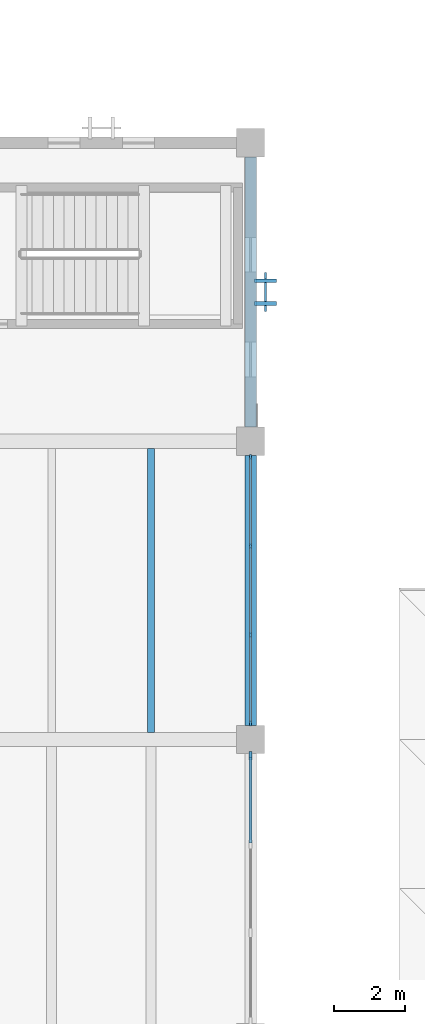
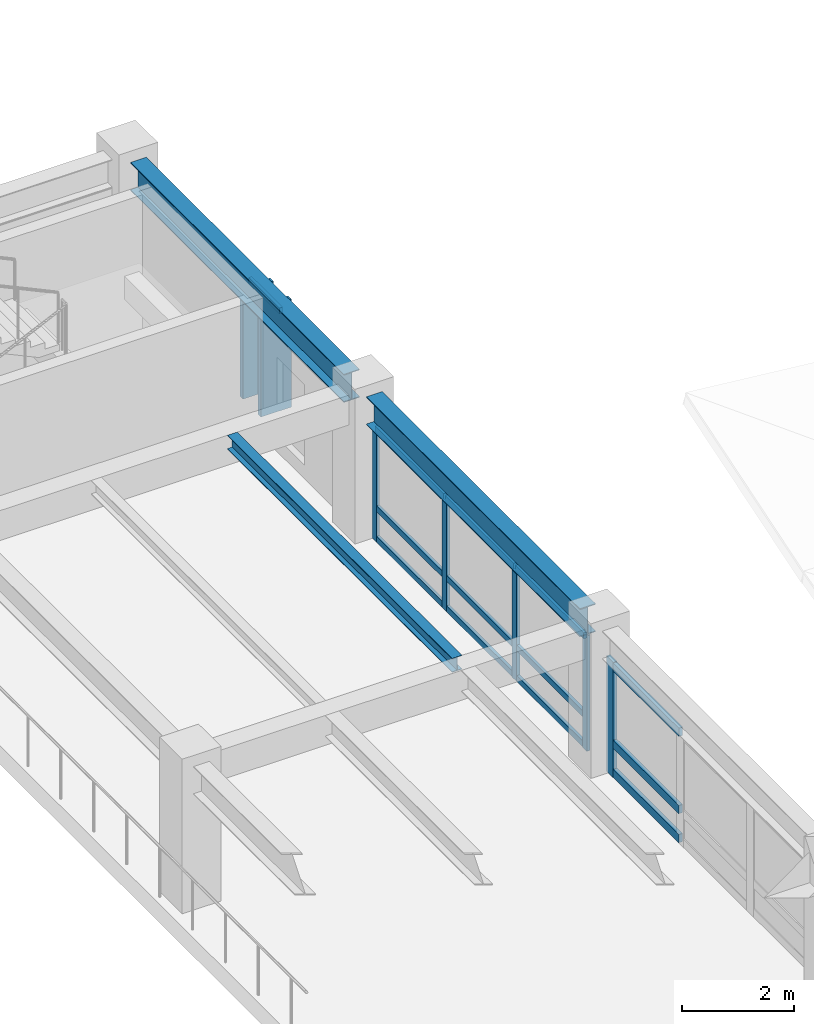
# One storey, part 13 of 123: 20 members, 3 beams, 3 elements without a shape of their own.
"""IFC4 building model written with IfcOpenShell, lengths in metres."""

from ifc_helpers import new_model, si_unit, direction, frame, origin, origin_2d, place, context, subcontext, project, spatial, rectangle, i_section, extrude, material, material_profile, profile_set, type_object, element, aggregate, save


model = new_model("IFC4")

# Units and contexts
model_context = context("Model", 3, precision=1e-05, world=origin(), true_north=direction((0.0, 1.0)))
body_context = subcontext(model_context, "Body", "Model", "MODEL_VIEW")
ifc_project = project(units=[si_unit("LENGTHUNIT", "METRE"), si_unit("AREAUNIT", "SQUARE_METRE"), si_unit("VOLUMEUNIT", "CUBIC_METRE"), si_unit("PLANEANGLEUNIT", "RADIAN"), si_unit("MASSUNIT", "GRAM", prefix="KILO")], contexts=[model_context])

# Site, building, storey
site_placement = place(None, origin())
site = spatial("IfcSite", under=ifc_project, at=site_placement, CompositionType="ELEMENT")
building_placement = place(site_placement, origin())
building = spatial("IfcBuilding", under=site, at=building_placement, Name="Cumbredor Promenade Congress Hotel", CompositionType="ELEMENT")
storey_placement = place(building_placement, frame((0.0, 0.0, 11.760009765625)))
storey = spatial("IfcBuildingStorey", under=building, at=storey_placement, Name="L03", CompositionType="ELEMENT", Elevation=11.760009765625)

# Curtain wall, members
ifc_material_1 = material(Name="Thermally broken anodized aluminium and low-E glass", Category="aluminium")
curtain_wall_type_1 = type_object("IfcCurtainWallType", Name="Unitised Bronze Curtain Wall CW-01", PredefinedType="NOTDEFINED", material=ifc_material_1)
curtain_wall_1_placement = place(storey_placement, origin())
curtain_wall_1 = element("IfcCurtainWall", 1, at=curtain_wall_1_placement, inside=storey, type_object=curtain_wall_type_1, Name="L03 Plenary Congress Hall East Curtain Wall 6", PredefinedType="NOTDEFINED")
ifc_material_2 = material(Name="Thermally broken anodized aluminium", Category="aluminium")
ifc_material_profile_1 = material_profile(ifc_material_2, rectangle(XDim=0.06494140625, YDim=0.159912109375, at=origin_2d()), Name="ALU MULLION 65x160")
ifc_profile_set_1 = profile_set([ifc_material_profile_1], Name="Thermally broken anodized aluminium")
member_type_1 = type_object("IfcMemberType", Name="Curtain Wall Mullion ML-01", PredefinedType="MULLION", material=ifc_profile_set_1)
member_1_placement = place(storey_placement, frame((67.199951171875, 50.85498046875, -0.008056640625), z_axis=(0.0, 0.0, 1.0), x_axis=(1.0, 0.0, 0.0)))
member_1 = element("IfcMember", 2, at=member_1_placement, type_object=member_type_1, Name="L03 Plenary Congress Hall East Curtain Wall 6 Mullion 1", PredefinedType="MULLION", context=body_context, shape_type="SweptSolid", body=[
    extrude(rectangle(XDim=0.06494140625, YDim=0.159912109375, at=origin_2d()), origin(), (0.0, 0.0, 1.0), 2.510009765625),
])
member_2_placement = place(storey_placement, frame((67.199951171875, 53.351806640625, -0.008056640625), z_axis=(0.0, 0.0, 1.0), x_axis=(1.0, 0.0, 0.0)))
member_2 = element("IfcMember", 3, at=member_2_placement, type_object=member_type_1, Name="L03 Plenary Congress Hall East Curtain Wall 6 Mullion 2", PredefinedType="MULLION", context=body_context, shape_type="SweptSolid", body=[
    extrude(rectangle(XDim=0.06494140625, YDim=0.159912109375, at=origin_2d()), origin(), (0.0, 0.0, 1.0), 2.510009765625),
])
member_3_placement = place(storey_placement, frame((67.199951171875, 55.848388671875, -0.008056640625), z_axis=(0.0, 0.0, 1.0), x_axis=(1.0, 0.0, 0.0)))
member_3 = element("IfcMember", 4, at=member_3_placement, type_object=member_type_1, Name="L03 Plenary Congress Hall East Curtain Wall 6 Mullion 3", PredefinedType="MULLION", context=body_context, shape_type="SweptSolid", body=[
    extrude(rectangle(XDim=0.06494140625, YDim=0.159912109375, at=origin_2d()), origin(), (0.0, 0.0, 1.0), 2.510009765625),
])
member_4_placement = place(storey_placement, frame((67.199951171875, 58.344970703125, -0.008056640625), z_axis=(0.0, 0.0, 1.0), x_axis=(1.0, 0.0, 0.0)))
member_4 = element("IfcMember", 5, at=member_4_placement, type_object=member_type_1, Name="L03 Plenary Congress Hall East Curtain Wall 6 Mullion 4", PredefinedType="MULLION", context=body_context, shape_type="SweptSolid", body=[
    extrude(rectangle(XDim=0.06494140625, YDim=0.159912109375, at=origin_2d()), origin(), (0.0, 0.0, 1.0), 2.510009765625),
])

# Curtain wall, member
curtain_wall_2_placement = place(storey_placement, origin())
curtain_wall_2 = element("IfcCurtainWall", 6, at=curtain_wall_2_placement, inside=storey, type_object=curtain_wall_type_1, Name="L03 Plenary Congress Hall East Curtain Wall 5", PredefinedType="NOTDEFINED")
ifc_material_profile_2 = material_profile(ifc_material_2, rectangle(XDim=0.080078125, YDim=0.239990234375, at=origin_2d()), Name="ALU MULLION 80x240")
ifc_profile_set_2 = profile_set([ifc_material_profile_2], Name="Thermally broken anodized aluminium")
member_type_2 = type_object("IfcMemberType", Name="Curtain Wall Mullion ML-03", PredefinedType="MULLION", material=ifc_profile_set_2)
member_5_placement = place(storey_placement, frame((67.199951171875, 49.945068359375, -0.008056640625), z_axis=(0.0, 0.0, 1.0), x_axis=(1.0, 0.0, 0.0)))
member_5 = element("IfcMember", 7, at=member_5_placement, type_object=member_type_2, Name="L03 Plenary Congress Hall East Curtain Wall 5 Mullion 4", PredefinedType="MULLION", context=body_context, shape_type="SweptSolid", body=[
    extrude(rectangle(XDim=0.080078125, YDim=0.239990234375, at=origin_2d()), origin(), (0.0, 0.0, 1.0), 2.510009765625),
])

# Member
ifc_material_profile_3 = material_profile(ifc_material_2, rectangle(XDim=0.06494140625, YDim=0.1298828125, at=origin_2d()), Name="ALU TRANSOM 65x130")
ifc_profile_set_3 = profile_set([ifc_material_profile_3], Name="Thermally broken anodized aluminium")
member_type_3 = type_object("IfcMemberType", Name="Curtain Wall Transom TR-01", PredefinedType="USERDEFINED", material=ifc_profile_set_3)
member_6_placement = place(storey_placement, frame((67.199951171875, 50.887451171875, 0.06005859375), z_axis=(0.0, 1.0, 0.0), x_axis=(-1.0, 0.0, 0.0)))
member_6 = element("IfcMember", 8, at=member_6_placement, type_object=member_type_3, Name="L03 Plenary Congress Hall East Curtain Wall 6 Transom 1.1", ObjectType="TRANSOM", PredefinedType="USERDEFINED", context=body_context, shape_type="SweptSolid", body=[
    extrude(rectangle(XDim=0.06494140625, YDim=0.1298828125, at=origin_2d()), origin(), (0.0, 0.0, 1.0), 2.431640625),
])

member_7_placement = place(storey_placement, frame((67.199951171875, 50.887451171875, 0.719970703125), z_axis=(0.0, 1.0, 0.0), x_axis=(-1.0, 0.0, 0.0)))
member_7 = element("IfcMember", 9, at=member_7_placement, type_object=member_type_3, Name="L03 Plenary Congress Hall East Curtain Wall 6 Transom 1.2", ObjectType="TRANSOM", PredefinedType="USERDEFINED", context=body_context, shape_type="SweptSolid", body=[
    extrude(rectangle(XDim=0.06494140625, YDim=0.1298828125, at=origin_2d()), origin(), (0.0, 0.0, 1.0), 2.431640625),
])

member_8_placement = place(storey_placement, frame((67.199951171875, 50.887451171875, 2.429931640625), z_axis=(0.0, 1.0, 0.0), x_axis=(-1.0, 0.0, 0.0)))
member_8 = element("IfcMember", 10, at=member_8_placement, type_object=member_type_3, Name="L03 Plenary Congress Hall East Curtain Wall 6 Transom 1.3", ObjectType="TRANSOM", PredefinedType="USERDEFINED", context=body_context, shape_type="SweptSolid", body=[
    extrude(rectangle(XDim=0.06494140625, YDim=0.1298828125, at=origin_2d()), origin(), (0.0, 0.0, 1.0), 2.431640625),
])

member_9_placement = place(storey_placement, frame((67.199951171875, 53.38427734375, 0.06005859375), z_axis=(0.0, 1.0, 0.0), x_axis=(-1.0, 0.0, 0.0)))
member_9 = element("IfcMember", 11, at=member_9_placement, type_object=member_type_3, Name="L03 Plenary Congress Hall East Curtain Wall 6 Transom 2.1", ObjectType="TRANSOM", PredefinedType="USERDEFINED", context=body_context, shape_type="SweptSolid", body=[
    extrude(rectangle(XDim=0.06494140625, YDim=0.1298828125, at=origin_2d()), origin(), (0.0, 0.0, 1.0), 2.431640625),
])

member_10_placement = place(storey_placement, frame((67.199951171875, 53.38427734375, 0.719970703125), z_axis=(0.0, 1.0, 0.0), x_axis=(-1.0, 0.0, 0.0)))
member_10 = element("IfcMember", 12, at=member_10_placement, type_object=member_type_3, Name="L03 Plenary Congress Hall East Curtain Wall 6 Transom 2.2", ObjectType="TRANSOM", PredefinedType="USERDEFINED", context=body_context, shape_type="SweptSolid", body=[
    extrude(rectangle(XDim=0.06494140625, YDim=0.1298828125, at=origin_2d()), origin(), (0.0, 0.0, 1.0), 2.431640625),
])

member_11_placement = place(storey_placement, frame((67.199951171875, 53.38427734375, 2.429931640625), z_axis=(0.0, 1.0, 0.0), x_axis=(-1.0, 0.0, 0.0)))
member_11 = element("IfcMember", 13, at=member_11_placement, type_object=member_type_3, Name="L03 Plenary Congress Hall East Curtain Wall 6 Transom 2.3", ObjectType="TRANSOM", PredefinedType="USERDEFINED", context=body_context, shape_type="SweptSolid", body=[
    extrude(rectangle(XDim=0.06494140625, YDim=0.1298828125, at=origin_2d()), origin(), (0.0, 0.0, 1.0), 2.431640625),
])

member_12_placement = place(storey_placement, frame((67.199951171875, 55.880859375, 0.06005859375), z_axis=(0.0, 1.0, 0.0), x_axis=(-1.0, 0.0, 0.0)))
member_12 = element("IfcMember", 14, at=member_12_placement, type_object=member_type_3, Name="L03 Plenary Congress Hall East Curtain Wall 6 Transom 3.1", ObjectType="TRANSOM", PredefinedType="USERDEFINED", context=body_context, shape_type="SweptSolid", body=[
    extrude(rectangle(XDim=0.06494140625, YDim=0.1298828125, at=origin_2d()), origin(), (0.0, 0.0, 1.0), 2.431640625),
])

member_13_placement = place(storey_placement, frame((67.199951171875, 55.880859375, 0.719970703125), z_axis=(0.0, 1.0, 0.0), x_axis=(-1.0, 0.0, 0.0)))
member_13 = element("IfcMember", 15, at=member_13_placement, type_object=member_type_3, Name="L03 Plenary Congress Hall East Curtain Wall 6 Transom 3.2", ObjectType="TRANSOM", PredefinedType="USERDEFINED", context=body_context, shape_type="SweptSolid", body=[
    extrude(rectangle(XDim=0.06494140625, YDim=0.1298828125, at=origin_2d()), origin(), (0.0, 0.0, 1.0), 2.431640625),
])

member_14_placement = place(storey_placement, frame((67.199951171875, 55.880859375, 2.429931640625), z_axis=(0.0, 1.0, 0.0), x_axis=(-1.0, 0.0, 0.0)))
member_14 = element("IfcMember", 16, at=member_14_placement, type_object=member_type_3, Name="L03 Plenary Congress Hall East Curtain Wall 6 Transom 3.3", ObjectType="TRANSOM", PredefinedType="USERDEFINED", context=body_context, shape_type="SweptSolid", body=[
    extrude(rectangle(XDim=0.06494140625, YDim=0.1298828125, at=origin_2d()), origin(), (0.0, 0.0, 1.0), 2.431640625),
])

aggregate(curtain_wall_1, [member_1, member_2, member_3, member_4, member_6, member_7, member_8, member_9, member_10, member_11, member_12, member_13, member_14])

# Curtain wall, member
curtain_wall_type_2 = type_object("IfcCurtainWallType", Name="Solar Brise-Soleil Screen Assembly CW-07", PredefinedType="NOTDEFINED", material=ifc_material_1)
curtain_wall_3_placement = place(storey_placement, origin())
curtain_wall_3 = element("IfcCurtainWall", 17, at=curtain_wall_3_placement, inside=storey, type_object=curtain_wall_type_2, Name="L03 Pier Brise-Soleil Screen 0556", PredefinedType="NOTDEFINED")
member_15_placement = place(storey_placement, frame((67.62255859375, 62.449951171875, 2.333984375), z_axis=(0.0, 1.0, 0.0), x_axis=(-1.0, 0.0, 0.0)))
member_15 = element("IfcMember", 18, at=member_15_placement, type_object=member_type_3, Name="L03 Pier Brise-Soleil Header 0558", ObjectType="TRANSOM", PredefinedType="USERDEFINED", context=body_context, shape_type="SweptSolid", body=[
    extrude(rectangle(XDim=0.06494140625, YDim=0.1298828125, at=origin_2d()), origin(), (0.0, 0.0, 1.0), 1.10009765625),
])

# Member
ifc_material_profile_4 = material_profile(ifc_material_2, rectangle(XDim=0.080078125, YDim=0.179931640625, at=origin_2d()), Name="ALU TRANSOM 80x180")
ifc_profile_set_4 = profile_set([ifc_material_profile_4], Name="Thermally broken anodized aluminium")
member_type_4 = type_object("IfcMemberType", Name="Curtain Wall Transom TR-03", PredefinedType="USERDEFINED", material=ifc_profile_set_4)
member_16_placement = place(storey_placement, frame((67.199951171875, 47.48828125, 0.090087890625), z_axis=(0.0, 1.0, 0.0), x_axis=(-1.0, 0.0, 0.0)))
member_16 = element("IfcMember", 19, at=member_16_placement, type_object=member_type_4, Name="L03 Plenary Congress Hall East Curtain Wall 5 Transom 3.1", ObjectType="TRANSOM", PredefinedType="USERDEFINED", context=body_context, shape_type="SweptSolid", body=[
    extrude(rectangle(XDim=0.080078125, YDim=0.179931640625, at=origin_2d()), origin(), (0.0, 0.0, 1.0), 2.416748046875),
])

member_17_placement = place(storey_placement, frame((67.199951171875, 47.48828125, 0.719970703125), z_axis=(0.0, 1.0, 0.0), x_axis=(-1.0, 0.0, 0.0)))
member_17 = element("IfcMember", 20, at=member_17_placement, type_object=member_type_4, Name="L03 Plenary Congress Hall East Curtain Wall 5 Transom 3.2", ObjectType="TRANSOM", PredefinedType="USERDEFINED", context=body_context, shape_type="SweptSolid", body=[
    extrude(rectangle(XDim=0.080078125, YDim=0.179931640625, at=origin_2d()), origin(), (0.0, 0.0, 1.0), 2.416748046875),
])

member_18_placement = place(storey_placement, frame((67.199951171875, 47.48828125, 2.39990234375), z_axis=(0.0, 1.0, 0.0), x_axis=(-1.0, 0.0, 0.0)))
member_18 = element("IfcMember", 21, at=member_18_placement, type_object=member_type_4, Name="L03 Plenary Congress Hall East Curtain Wall 5 Transom 3.3", ObjectType="TRANSOM", PredefinedType="USERDEFINED", context=body_context, shape_type="SweptSolid", body=[
    extrude(rectangle(XDim=0.080078125, YDim=0.179931640625, at=origin_2d()), origin(), (0.0, 0.0, 1.0), 2.416748046875),
])

aggregate(curtain_wall_2, [member_5, member_16, member_17, member_18])

# Beams
ifc_material_3 = material(Name="Steel ASTM A992 Grade 50", Category="steel")
ifc_material_profile_5 = material_profile(ifc_material_3, i_section(OverallWidth=0.202880859375, OverallDepth=0.302978515625, WebThickness=0.007568359375, FlangeThickness=0.01318359375, at=origin_2d()), Name="W12X40")
ifc_profile_set_5 = profile_set([ifc_material_profile_5], Name="Steel ASTM A992 Grade 50")
beam_type_1 = type_object("IfcBeamType", Name="JST-W12X40", PredefinedType="JOIST", material=ifc_profile_set_5)
beam_1_placement = place(storey_placement, frame((64.39990234375, 50.60009765625, 2.968505859375), z_axis=(0.0, 1.0, 0.0), x_axis=(-1.0, 0.0, 0.0)))
element("IfcBeam", 22, at=beam_1_placement, inside=storey, type_object=beam_type_1, Name="L04 Secondary Floor Joist 0071", PredefinedType="JOIST", context=body_context, shape_type="SweptSolid", body=[
    extrude(i_section(OverallWidth=0.202880859375, OverallDepth=0.302978515625, WebThickness=0.007568359375, FlangeThickness=0.01318359375, at=origin_2d()), origin(), (0.0, 0.0, 1.0), 8.0),
])
ifc_material_profile_6 = material_profile(ifc_material_3, i_section(OverallWidth=0.323974609375, OverallDepth=0.611083984375, WebThickness=0.0126953125, FlangeThickness=0.01904296875, at=origin_2d()), Name="W24X104")
ifc_profile_set_6 = profile_set([ifc_material_profile_6], Name="Steel ASTM A992 Grade 50")
beam_type_2 = type_object("IfcBeamType", Name="SP-W24X104", PredefinedType="SPANDREL", material=ifc_profile_set_6)
beam_2_placement = place(storey_placement, frame((67.199951171875, 50.800048828125, 2.814453125), z_axis=(0.0, 1.0, 0.0), x_axis=(-1.0, 0.0, 0.0)))
element("IfcBeam", 23, at=beam_2_placement, inside=storey, type_object=beam_type_2, Name="L04 Y-Grid Beam 130", PredefinedType="SPANDREL", context=body_context, shape_type="SweptSolid", body=[
    extrude(i_section(OverallWidth=0.323974609375, OverallDepth=0.611083984375, WebThickness=0.0126953125, FlangeThickness=0.01904296875, at=origin_2d()), origin(), (0.0, 0.0, 1.0), 7.599853515625),
])
beam_3_placement = place(storey_placement, frame((67.199951171875, 59.199951171875, 2.814453125), z_axis=(0.0, 1.0, 0.0), x_axis=(-1.0, 0.0, 0.0)))
element("IfcBeam", 24, at=beam_3_placement, inside=storey, type_object=beam_type_2, Name="L04 Y-Grid Beam 131", PredefinedType="SPANDREL", context=body_context, shape_type="SweptSolid", body=[
    extrude(i_section(OverallWidth=0.323974609375, OverallDepth=0.611083984375, WebThickness=0.0126953125, FlangeThickness=0.01904296875, at=origin_2d()), origin(), (0.0, 0.0, 1.0), 7.60009765625),
])

# Member
ifc_material_profile_7 = material_profile(ifc_material_2, rectangle(XDim=0.110107421875, YDim=0.6201171875, at=origin_2d()), Name="ARCH FIN 110x620")
ifc_profile_set_7 = profile_set([ifc_material_profile_7], Name="Thermally broken anodized aluminium")
member_type_5 = type_object("IfcMemberType", Name="Vertical Bronze Brise-Soleil Fin BSF-02 110x620", PredefinedType="USERDEFINED", material=ifc_profile_set_7)
member_19_placement = place(storey_placement, frame((67.62255859375, 62.679931640625, 0.02001953125), z_axis=(0.0, 0.0, 1.0), x_axis=(0.0, 1.0, 0.0)))
member_19 = element("IfcMember", 25, at=member_19_placement, type_object=member_type_5, Name="L03 Pier Brise-Soleil Fin 0557", ObjectType="SOLAR FIN", PredefinedType="USERDEFINED", context=body_context, shape_type="SweptSolid", body=[
    extrude(rectangle(XDim=0.110107421875, YDim=0.6201171875, at=origin_2d()), origin(), (0.0, 0.0, 1.0), 2.35400390625),
])

member_20_placement = place(storey_placement, frame((67.62255859375, 63.320068359375, 0.02001953125), z_axis=(0.0, 0.0, 1.0), x_axis=(0.0, 1.0, 0.0)))
member_20 = element("IfcMember", 26, at=member_20_placement, type_object=member_type_5, Name="L03 Pier Brise-Soleil Fin 0558", ObjectType="SOLAR FIN", PredefinedType="USERDEFINED", context=body_context, shape_type="SweptSolid", body=[
    extrude(rectangle(XDim=0.110107421875, YDim=0.6201171875, at=origin_2d()), origin(), (0.0, 0.0, 1.0), 2.35400390625),
])

aggregate(curtain_wall_3, [member_19, member_20, member_15])

save(model, "model.ifc")
